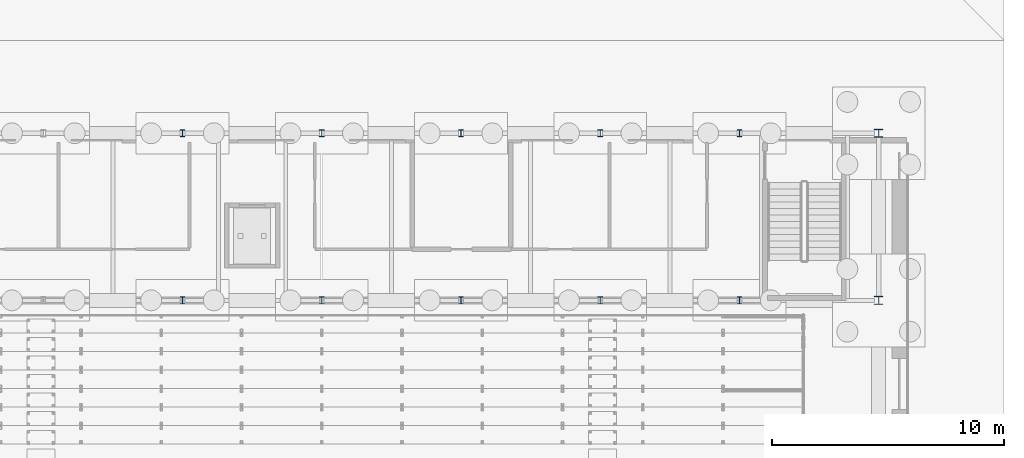
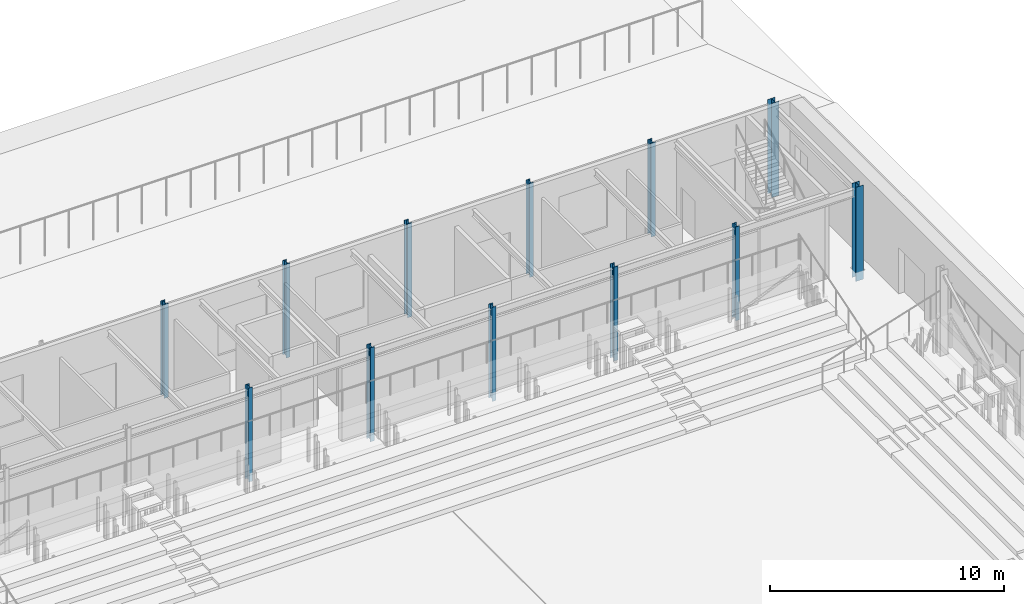
# One storey, part 23 of 139: 12 columns.
"""IFC4 building model written with IfcOpenShell, lengths in metres."""

from ifc_helpers import new_model, si_unit, direction, frame, origin, origin_2d, place, context, subcontext, project, spatial, i_section, extrude, material, material_profile, profile_set, type_object, element, save


model = new_model("IFC4")

# Units and contexts
model_context = context("Model", 3, precision=1e-05, world=origin(), true_north=direction((0.0, 1.0)))
body_context = subcontext(model_context, "Body", "Model", "MODEL_VIEW")
ifc_project = project(units=[si_unit("LENGTHUNIT", "METRE"), si_unit("AREAUNIT", "SQUARE_METRE"), si_unit("VOLUMEUNIT", "CUBIC_METRE"), si_unit("PLANEANGLEUNIT", "RADIAN"), si_unit("MASSUNIT", "GRAM", prefix="KILO")], contexts=[model_context])

# Site, building, storey
site_placement = place(None, origin())
site = spatial("IfcSite", under=ifc_project, at=site_placement, CompositionType="ELEMENT")
building_placement = place(site_placement, origin())
building = spatial("IfcBuilding", under=site, at=building_placement, Name="Verrick Yard Athletic Hall", CompositionType="ELEMENT")
storey_placement = place(building_placement, origin())
storey = spatial("IfcBuildingStorey", under=building, at=storey_placement, Name="L00", CompositionType="ELEMENT", Elevation=0.0)

# Columns
ifc_material = material(Name="Structural steel 350W (CSA G40.21)", Category="steel")
ifc_material_profile_1 = material_profile(ifc_material, i_section(OverallWidth=0.205078125, OverallDepth=0.31005859375, WebThickness=0.009521484375, FlangeThickness=0.016357421875, at=origin_2d()), Name="W310x74")
ifc_profile_set_1 = profile_set([ifc_material_profile_1], Name="Structural steel 350W (CSA G40.21)")
column_type_1 = type_object("IfcColumnType", Name="HB column W310x74", PredefinedType="COLUMN", material=ifc_profile_set_1)
for number, where, z_axis, x_axis, name in (
    (1, (139.60009765625, 100.800048828125, -0.5), (0.0, 0.0, 1.0), (1.0, 0.0, 0.0), "HB-C-A-B3S-L00"),
    (2, (139.60009765625, 108.0, -0.5), (0.0, 0.0, 1.0), (1.0, 0.0, 0.0), "HB-C-A-B3N-L00"),
    (3, (145.60009765625, 100.800048828125, -0.5), (0.0, 0.0, 1.0), (1.0, 0.0, 0.0), "HB-C-A-B4S-L00"),
    (4, (145.60009765625, 108.0, -0.5), (0.0, 0.0, 1.0), (1.0, 0.0, 0.0), "HB-C-A-B4N-L00"),
    (5, (151.60009765625, 100.800048828125, -0.5), (0.0, 0.0, 1.0), (1.0, 0.0, 0.0), "HB-C-A-B5S-L00"),
    (6, (151.60009765625, 108.0, -0.5), (0.0, 0.0, 1.0), (1.0, 0.0, 0.0), "HB-C-A-B5N-L00"),
    (7, (157.60009765625, 100.800048828125, -0.5), (0.0, 0.0, 1.0), (1.0, 0.0, 0.0), "HB-C-A-B6S-L00"),
    (8, (157.60009765625, 108.0, -0.5), (0.0, 0.0, 1.0), (1.0, 0.0, 0.0), "HB-C-A-B6N-L00"),
    (9, (163.60009765625, 100.800048828125, -0.5), (0.0, 0.0, 1.0), (1.0, 0.0, 0.0), "HB-C-A-B7S-L00"),
    (10, (163.60009765625, 108.0, -0.5), (0.0, 0.0, 1.0), (1.0, 0.0, 0.0), "HB-C-A-B7N-L00"),
):
    element("IfcColumn", number, at=place(storey_placement, frame(where, z_axis=z_axis, x_axis=x_axis)), inside=storey, type_object=column_type_1, Name=name, PredefinedType="COLUMN", context=body_context, shape_type="SweptSolid", body=[
        extrude(i_section(OverallWidth=0.205078125, OverallDepth=0.31005859375, WebThickness=0.009521484375, FlangeThickness=0.016357421875, at=origin_2d()), origin(), (0.0, 0.0, 1.0), 4.89990234375),
    ])
ifc_material_profile_2 = material_profile(ifc_material, i_section(OverallWidth=0.368896484375, OverallDepth=0.35595703125, WebThickness=0.01123046875, FlangeThickness=0.01806640625, at=origin_2d()), Name="W360x134")
ifc_profile_set_2 = profile_set([ifc_material_profile_2], Name="Structural steel 350W (CSA G40.21)")
column_type_2 = type_object("IfcColumnType", Name="HB column W360x134", PredefinedType="COLUMN", material=ifc_profile_set_2)
for number, where, z_axis, x_axis, name in (
    (11, (169.60009765625, 100.800048828125, -0.5), (0.0, 0.0, 1.0), (1.0, 0.0, 0.0), "HB-C-HAE5-L00"),
    (12, (169.60009765625, 108.0, -0.5), (0.0, 0.0, 1.0), (1.0, 0.0, 0.0), "HB-C-HAE6-L00"),
):
    element("IfcColumn", number, at=place(storey_placement, frame(where, z_axis=z_axis, x_axis=x_axis)), inside=storey, type_object=column_type_2, Name=name, PredefinedType="COLUMN", context=body_context, shape_type="SweptSolid", body=[
        extrude(i_section(OverallWidth=0.368896484375, OverallDepth=0.35595703125, WebThickness=0.01123046875, FlangeThickness=0.01806640625, at=origin_2d()), origin(), (0.0, 0.0, 1.0), 4.89990234375),
    ])

save(model, "model.ifc")
